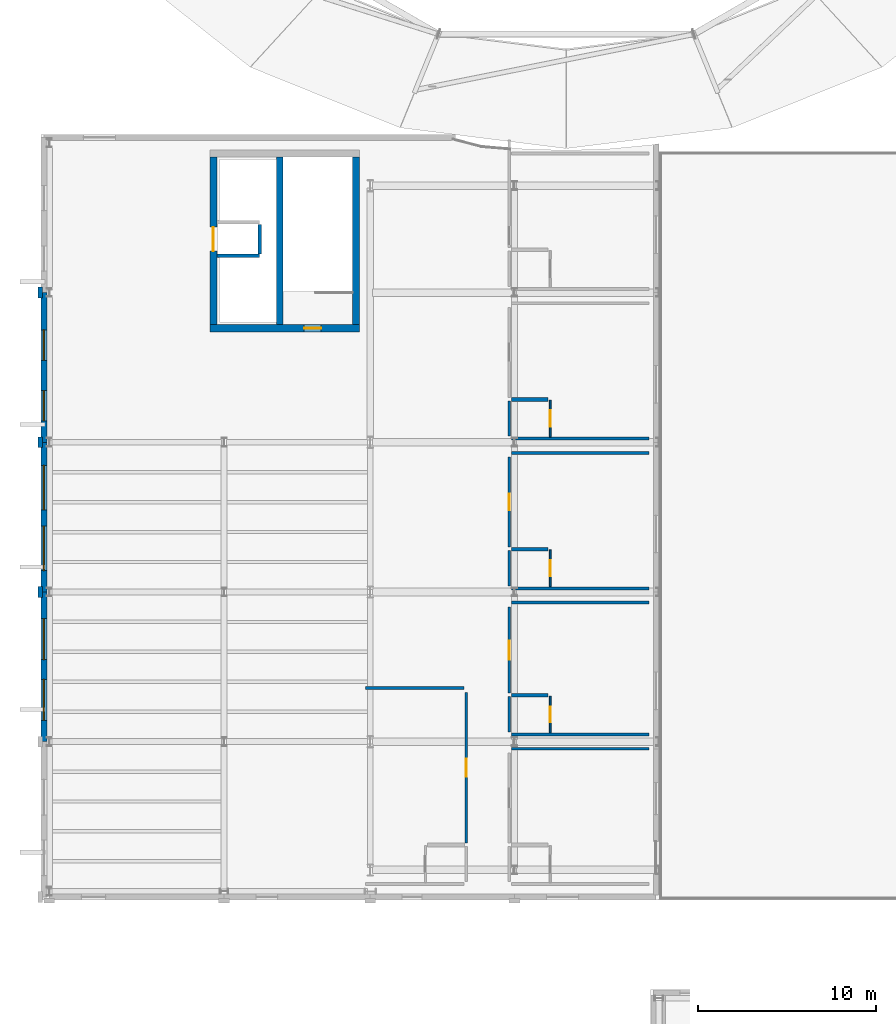
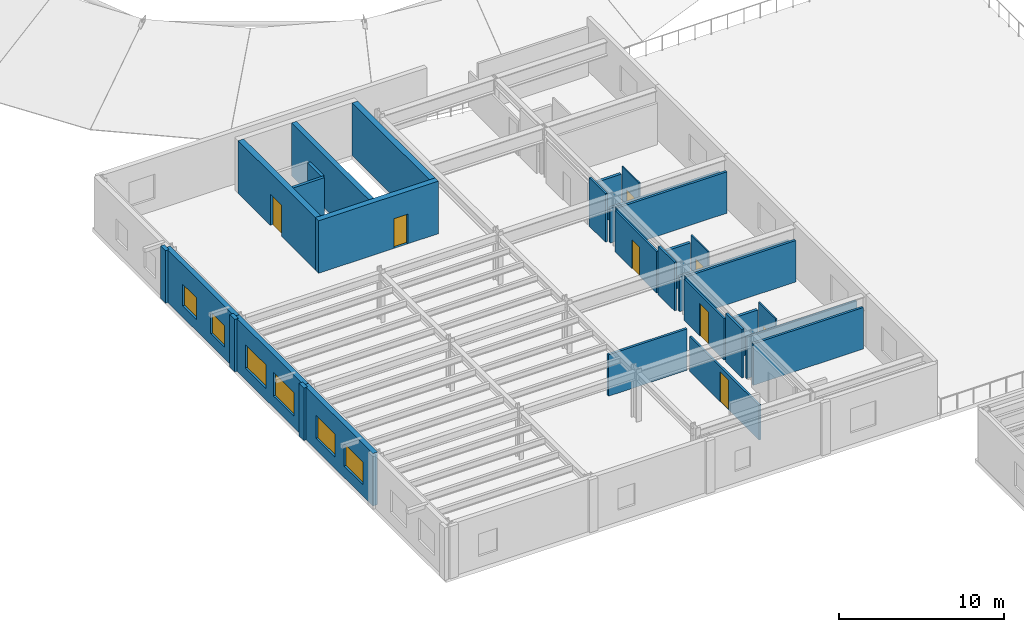
# One storey, part 37 of 59: 31 walls, 8 doors, 6 windows, 14 openings.
"""IFC4 building model written with IfcOpenShell, lengths in metres."""

from ifc_helpers import new_model, si_unit, direction, frame, frame_2d, origin, place, context, subcontext, project, spatial, rectangle, extrude, material, layer, layer_set, type_object, element, fill, save


model = new_model("IFC4")

# Units and contexts
model_context = context("Model", 3, precision=1e-05, world=origin(), true_north=direction((0.0, 1.0)))
body_context = subcontext(model_context, "Body", "Model", "MODEL_VIEW")
ifc_project = project(units=[si_unit("LENGTHUNIT", "METRE"), si_unit("AREAUNIT", "SQUARE_METRE"), si_unit("VOLUMEUNIT", "CUBIC_METRE"), si_unit("PLANEANGLEUNIT", "RADIAN"), si_unit("MASSUNIT", "GRAM", prefix="KILO")], contexts=[model_context])

# Site, building, storey
site_placement = place(None, origin())
site = spatial("IfcSite", under=ifc_project, at=site_placement, CompositionType="ELEMENT")
building_placement = place(site_placement, origin())
building = spatial("IfcBuilding", under=site, at=building_placement, Name="Sollismere Congress Hotel", CompositionType="ELEMENT")
storey_placement = place(building_placement, frame((0.0, 0.0, 15.60009765625)))
storey = spatial("IfcBuildingStorey", under=building, at=storey_placement, Name="L03", CompositionType="ELEMENT", Elevation=15.60009765625)

# Wall, openings, windows
ifc_material_1 = material(Name="Colorado Buff Sandstone and Limestone Backup C40/50", Category="masonry")
ifc_layer_1 = layer(ifc_material_1, 0.340087890625, Name="Colorado Buff Sandstone and Limestone Backup C40/50")
ifc_layer_set_1 = layer_set([ifc_layer_1], Name="Colorado Buff Sandstone and Limestone Backup C40/50")
wall_type_1 = type_object("IfcWallType", Name="WL-EXT340", PredefinedType="STANDARD", material=ifc_layer_set_1)
wall_1_placement = place(storey_placement, frame((-0.31005859375, 33.199951171875, 0.0), z_axis=(0.0, 0.0, 1.0), x_axis=(0.0, 1.0, 0.0)))
wall_1 = element("IfcWall", 1, at=wall_1_placement, inside=storey, type_object=wall_type_1, Name="Exterior wall EW-L03-178", PredefinedType="STANDARD", context=body_context, shape_type="SweptSolid", body=[
    extrude(rectangle(XDim=8.400146484375, YDim=0.340087890625, at=frame_2d((4.2001953125, 0.0))), origin(), (0.0, 0.0, 1.0), 3.89990234375),
])
opening_1_placement = place(wall_1_placement, frame((1.199951171875, 0.0, 0.85009765625)))
opening_1 = element("IfcOpeningElement", 2, at=opening_1_placement, cuts=wall_1, Name="Opening W-L03-148", PredefinedType="OPENING", context=body_context, shape_type="SweptSolid", body=[
    extrude(rectangle(XDim=2.300048828125, YDim=1.699951171875, at=frame_2d((1.14990234375, 0.85009765625))), frame((0.0, 0.179931640625, 0.0), z_axis=(0.0, -1.0, 0.0), x_axis=(1.0, 0.0, 0.0)), (0.0, 0.0, 1.0), 0.360107421875),
])
opening_2_placement = place(wall_1_placement, frame((4.60009765625, 0.0, 0.85009765625)))
opening_2 = element("IfcOpeningElement", 3, at=opening_2_placement, cuts=wall_1, Name="Opening W-L03-149", PredefinedType="OPENING", context=body_context, shape_type="SweptSolid", body=[
    extrude(rectangle(XDim=2.300048828125, YDim=1.699951171875, at=frame_2d((1.14990234375, 0.85009765625))), frame((0.0, 0.179931640625, 0.0), z_axis=(0.0, -1.0, 0.0), x_axis=(1.0, 0.0, 0.0)), (0.0, 0.0, 1.0), 0.360107421875),
])
ifc_material_2 = material(Name="Thermally Broken Bronze Aluminum & Low-E Glass", Category="aluminium")
window_type_1 = type_object("IfcWindowType", Name="WN-P230x170", PartitioningType="SINGLE_PANEL", PredefinedType="WINDOW", material=ifc_material_2)
window_1_placement = place(opening_1_placement, origin())
window_1 = element("IfcWindow", 4, at=window_1_placement, inside=storey, type_object=window_type_1, Name="WIN-W-L03-148", OverallHeight=1.699951171875, OverallWidth=2.300048828125, PartitioningType="SINGLE_PANEL", PredefinedType="WINDOW", context=body_context, shape_type="SweptSolid", body=[
    extrude(rectangle(XDim=2.300048828125, YDim=1.699951171875, at=frame_2d((1.14990234375, 0.85009765625))), frame((0.0, 0.030029296875, 0.0), z_axis=(0.0, -1.0, 0.0), x_axis=(1.0, 0.0, 0.0)), (0.0, 0.0, 1.0), 0.06005859375),
])
fill(opening_1, window_1)
window_2_placement = place(opening_2_placement, origin())
window_2 = element("IfcWindow", 5, at=window_2_placement, inside=storey, type_object=window_type_1, Name="WIN-W-L03-149", OverallHeight=1.699951171875, OverallWidth=2.300048828125, PartitioningType="SINGLE_PANEL", PredefinedType="WINDOW", context=body_context, shape_type="SweptSolid", body=[
    extrude(rectangle(XDim=2.300048828125, YDim=1.699951171875, at=frame_2d((1.14990234375, 0.85009765625))), frame((0.0, 0.030029296875, 0.0), z_axis=(0.0, -1.0, 0.0), x_axis=(1.0, 0.0, 0.0)), (0.0, 0.0, 1.0), 0.06005859375),
])
fill(opening_2, window_2)

wall_2_placement = place(storey_placement, frame((-0.31005859375, 41.60009765625, 0.0), z_axis=(0.0, 0.0, 1.0), x_axis=(0.0, 1.0, 0.0)))
wall_2 = element("IfcWall", 6, at=wall_2_placement, inside=storey, type_object=wall_type_1, Name="Exterior wall EW-L03-180", PredefinedType="STANDARD", context=body_context, shape_type="SweptSolid", body=[
    extrude(rectangle(XDim=8.39990234375, YDim=0.340087890625, at=frame_2d((4.199951171875, 0.0))), origin(), (0.0, 0.0, 1.0), 3.89990234375),
])
opening_3_placement = place(wall_2_placement, frame((1.199951171875, 0.0, 0.85009765625)))
opening_3 = element("IfcOpeningElement", 7, at=opening_3_placement, cuts=wall_2, Name="Opening W-L03-150", PredefinedType="OPENING", context=body_context, shape_type="SweptSolid", body=[
    extrude(rectangle(XDim=2.5, YDim=1.75, at=frame_2d((1.25, 0.875))), frame((0.0, 0.179931640625, 0.0), z_axis=(0.0, -1.0, 0.0), x_axis=(1.0, 0.0, 0.0)), (0.0, 0.0, 1.0), 0.360107421875),
])
opening_4_placement = place(wall_2_placement, frame((4.60009765625, 0.0, 0.85009765625)))
opening_4 = element("IfcOpeningElement", 8, at=opening_4_placement, cuts=wall_2, Name="Opening W-L03-151", PredefinedType="OPENING", context=body_context, shape_type="SweptSolid", body=[
    extrude(rectangle(XDim=2.5, YDim=1.75, at=frame_2d((1.25, 0.875))), frame((0.0, 0.179931640625, 0.0), z_axis=(0.0, -1.0, 0.0), x_axis=(1.0, 0.0, 0.0)), (0.0, 0.0, 1.0), 0.360107421875),
])
window_type_2 = type_object("IfcWindowType", Name="WN-P250x175", PartitioningType="SINGLE_PANEL", PredefinedType="WINDOW", material=ifc_material_2)
window_3_placement = place(opening_3_placement, origin())
window_3 = element("IfcWindow", 9, at=window_3_placement, inside=storey, type_object=window_type_2, Name="WIN-W-L03-150", OverallHeight=1.75, OverallWidth=2.5, PartitioningType="SINGLE_PANEL", PredefinedType="WINDOW", context=body_context, shape_type="SweptSolid", body=[
    extrude(rectangle(XDim=2.5, YDim=1.75, at=frame_2d((1.25, 0.875))), frame((0.0, 0.030029296875, 0.0), z_axis=(0.0, -1.0, 0.0), x_axis=(1.0, 0.0, 0.0)), (0.0, 0.0, 1.0), 0.06005859375),
])
fill(opening_3, window_3)
window_4_placement = place(opening_4_placement, origin())
window_4 = element("IfcWindow", 10, at=window_4_placement, inside=storey, type_object=window_type_2, Name="WIN-W-L03-151", OverallHeight=1.75, OverallWidth=2.5, PartitioningType="SINGLE_PANEL", PredefinedType="WINDOW", context=body_context, shape_type="SweptSolid", body=[
    extrude(rectangle(XDim=2.5, YDim=1.75, at=frame_2d((1.25, 0.875))), frame((0.0, 0.030029296875, 0.0), z_axis=(0.0, -1.0, 0.0), x_axis=(1.0, 0.0, 0.0)), (0.0, 0.0, 1.0), 0.06005859375),
])
fill(opening_4, window_4)

wall_3_placement = place(storey_placement, frame((-0.31005859375, 50.0, 0.0), z_axis=(0.0, 0.0, 1.0), x_axis=(0.0, 1.0, 0.0)))
wall_3 = element("IfcWall", 11, at=wall_3_placement, inside=storey, type_object=wall_type_1, Name="Exterior wall EW-L03-182", PredefinedType="STANDARD", context=body_context, shape_type="SweptSolid", body=[
    extrude(rectangle(XDim=8.39990234375, YDim=0.340087890625, at=frame_2d((4.199951171875, 0.0))), origin(), (0.0, 0.0, 1.0), 3.89990234375),
])
opening_5_placement = place(wall_3_placement, frame((1.199951171875, 0.0, 0.85009765625)))
opening_5 = element("IfcOpeningElement", 12, at=opening_5_placement, cuts=wall_3, Name="Opening W-L03-152", PredefinedType="OPENING", context=body_context, shape_type="SweptSolid", body=[
    extrude(rectangle(XDim=1.699951171875, YDim=1.60009765625, at=frame_2d((0.85009765625, 0.800048828125))), frame((0.0, 0.179931640625, 0.0), z_axis=(0.0, -1.0, 0.0), x_axis=(1.0, 0.0, 0.0)), (0.0, 0.0, 1.0), 0.360107421875),
])
opening_6_placement = place(wall_3_placement, frame((4.60009765625, 0.0, 0.85009765625)))
opening_6 = element("IfcOpeningElement", 13, at=opening_6_placement, cuts=wall_3, Name="Opening W-L03-153", PredefinedType="OPENING", context=body_context, shape_type="SweptSolid", body=[
    extrude(rectangle(XDim=1.699951171875, YDim=1.60009765625, at=frame_2d((0.85009765625, 0.800048828125))), frame((0.0, 0.179931640625, 0.0), z_axis=(0.0, -1.0, 0.0), x_axis=(1.0, 0.0, 0.0)), (0.0, 0.0, 1.0), 0.360107421875),
])
window_type_3 = type_object("IfcWindowType", Name="WN-P170x160", PartitioningType="SINGLE_PANEL", PredefinedType="WINDOW", material=ifc_material_2)
window_5_placement = place(opening_5_placement, origin())
window_5 = element("IfcWindow", 14, at=window_5_placement, inside=storey, type_object=window_type_3, Name="WIN-W-L03-152", OverallHeight=1.60009765625, OverallWidth=1.699951171875, PartitioningType="SINGLE_PANEL", PredefinedType="WINDOW", context=body_context, shape_type="SweptSolid", body=[
    extrude(rectangle(XDim=1.699951171875, YDim=1.60009765625, at=frame_2d((0.85009765625, 0.800048828125))), frame((0.0, 0.030029296875, 0.0), z_axis=(0.0, -1.0, 0.0), x_axis=(1.0, 0.0, 0.0)), (0.0, 0.0, 1.0), 0.06005859375),
])
fill(opening_5, window_5)
window_6_placement = place(opening_6_placement, origin())
window_6 = element("IfcWindow", 15, at=window_6_placement, inside=storey, type_object=window_type_3, Name="WIN-W-L03-153", OverallHeight=1.60009765625, OverallWidth=1.699951171875, PartitioningType="SINGLE_PANEL", PredefinedType="WINDOW", context=body_context, shape_type="SweptSolid", body=[
    extrude(rectangle(XDim=1.699951171875, YDim=1.60009765625, at=frame_2d((0.85009765625, 0.800048828125))), frame((0.0, 0.030029296875, 0.0), z_axis=(0.0, -1.0, 0.0), x_axis=(1.0, 0.0, 0.0)), (0.0, 0.0, 1.0), 0.06005859375),
])
fill(opening_6, window_6)

# Walls
ifc_material_3 = material(Name="Carved Travertine Pilaster & Frieze Assembly", Category="masonry")
ifc_layer_2 = layer(ifc_material_3, 0.260009765625, Name="Carved Travertine Pilaster & Frieze Assembly")
ifc_layer_set_2 = layer_set([ifc_layer_2], Name="Carved Travertine Pilaster & Frieze Assembly")
wall_type_2 = type_object("IfcWallType", Name="WL-PIL280", PredefinedType="ELEMENTEDWALL", material=ifc_layer_set_2)
wall_4_placement = place(storey_placement, frame((-0.52001953125, 41.300048828125, 0.0), z_axis=(0.0, 0.0, 1.0), x_axis=(0.0, 1.0, 0.0)))
element("IfcWall", 16, at=wall_4_placement, inside=storey, type_object=wall_type_2, Name="Exterior wall EW-L03-181", PredefinedType="ELEMENTEDWALL", context=body_context, shape_type="SweptSolid", body=[
    extrude(rectangle(XDim=0.599853515625, YDim=0.260009765625, at=frame_2d((0.2998046875, 0.0))), origin(), (0.0, 0.0, 1.0), 3.89990234375),
])
wall_5_placement = place(storey_placement, frame((-0.52001953125, 49.699951171875, 0.0), z_axis=(0.0, 0.0, 1.0), x_axis=(0.0, 1.0, 0.0)))
element("IfcWall", 17, at=wall_5_placement, inside=storey, type_object=wall_type_2, Name="Exterior wall EW-L03-183", PredefinedType="ELEMENTEDWALL", context=body_context, shape_type="SweptSolid", body=[
    extrude(rectangle(XDim=0.60009765625, YDim=0.260009765625, at=frame_2d((0.300048828125, 0.0))), origin(), (0.0, 0.0, 1.0), 3.89990234375),
])
wall_6_placement = place(storey_placement, frame((-0.52001953125, 58.10009765625, 0.0), z_axis=(0.0, 0.0, 1.0), x_axis=(0.0, 1.0, 0.0)))
element("IfcWall", 18, at=wall_6_placement, inside=storey, type_object=wall_type_2, Name="Exterior wall EW-L03-185", PredefinedType="ELEMENTEDWALL", context=body_context, shape_type="SweptSolid", body=[
    extrude(rectangle(XDim=0.599853515625, YDim=0.260009765625, at=frame_2d((0.2998046875, 0.0))), origin(), (0.0, 0.0, 1.0), 3.89990234375),
])
ifc_material_4 = material(Name="Moisture-Resistant Shaft Gypsum Assembly")
ifc_layer_3 = layer(ifc_material_4, 0.199951171875, Name="Moisture-Resistant Shaft Gypsum Assembly")
ifc_layer_set_3 = layer_set([ifc_layer_3], Name="Moisture-Resistant Shaft Gypsum Assembly")
wall_type_3 = type_object("IfcWallType", Name="WL-PLM200", PredefinedType="PLUMBINGWALL", material=ifc_layer_set_3)
wall_7_placement = place(storey_placement, frame((9.412109375, 60.455078125, 0.0), z_axis=(0.0, 0.0, 1.0), x_axis=(1.0, 0.0, 0.0)))
element("IfcWall", 19, at=wall_7_placement, inside=storey, type_object=wall_type_3, Name="Interior wall IW-L03-0668", PredefinedType="PLUMBINGWALL", context=body_context, shape_type="SweptSolid", body=[
    extrude(rectangle(XDim=2.387939453125, YDim=0.199951171875, at=frame_2d((1.19384765625, 0.0))), origin(), (0.0, 0.0, 1.0), 3.599853515625),
])
wall_8_placement = place(storey_placement, frame((11.800048828125, 60.56689453125, 0.0), z_axis=(0.0, 0.0, 1.0), x_axis=(0.0, 1.0, 0.0)))
element("IfcWall", 20, at=wall_8_placement, inside=storey, type_object=wall_type_3, Name="Interior wall IW-L03-0670", PredefinedType="PLUMBINGWALL", context=body_context, shape_type="SweptSolid", body=[
    extrude(rectangle(XDim=1.666015625, YDim=0.199951171875, at=frame_2d((0.8330078125, 0.0))), origin(), (0.0, 0.0, 1.0), 3.599853515625),
])
for number, where, z_axis, x_axis, name in (
    (21, (25.919921875, 35.800048828125, 0.0), (0.0, 0.0, 1.0), (1.0, 0.0, 0.0), "Interior wall IW-L03-1445"),
    (22, (25.919921875, 44.0, 0.0), (0.0, 0.0, 1.0), (1.0, 0.0, 0.0), "Interior wall IW-L03-1451"),
    (23, (25.919921875, 52.39990234375, 0.0), (0.0, 0.0, 1.0), (1.0, 0.0, 0.0), "Interior wall IW-L03-1457"),
):
    element("IfcWall", number, at=place(storey_placement, frame(where, z_axis=z_axis, x_axis=x_axis)), inside=storey, type_object=wall_type_3, Name=name, PredefinedType="PLUMBINGWALL", context=body_context, shape_type="SweptSolid", body=[
        extrude(rectangle(XDim=2.06005859375, YDim=0.199951171875, at=frame_2d((1.030029296875, 0.0))), origin(), (0.0, 0.0, 1.0), 3.073974609375),
    ])

# Wall, opening, door
ifc_material_5 = material(Name="Moisture-Resistant Gypsum Partition")
ifc_layer_4 = layer(ifc_material_5, 0.10009765625, Name="Moisture-Resistant Gypsum Partition")
ifc_layer_set_4 = layer_set([ifc_layer_4], Name="Moisture-Resistant Gypsum Partition")
wall_type_4 = type_object("IfcWallType", Name="WL-PRT100", PredefinedType="PARTITIONING", material=ifc_layer_set_4)
wall_9_placement = place(storey_placement, frame((28.10009765625, 33.694580078125, 0.0), z_axis=(0.0, 0.0, 1.0), x_axis=(0.0, 1.0, 0.0)))
wall_9 = element("IfcWall", 24, at=wall_9_placement, inside=storey, type_object=wall_type_4, Name="Interior wall IW-L03-1446", PredefinedType="PARTITIONING", context=body_context, shape_type="SweptSolid", body=[
    extrude(rectangle(XDim=2.0654296875, YDim=0.10009765625, at=frame_2d((1.03271484375, 0.0))), origin(), (0.0, 0.0, 1.0), 3.599853515625),
])
opening_7_placement = place(wall_9_placement, frame((0.593017578125, 0.0, 0.0)))
opening_7 = element("IfcOpeningElement", 25, at=opening_7_placement, cuts=wall_9, Name="Opening D-L03-0510", PredefinedType="OPENING", context=body_context, shape_type="SweptSolid", body=[
    extrude(rectangle(XDim=0.8798828125, YDim=2.179931640625, at=frame_2d((0.43994140625, 1.08984375))), frame((0.0, 0.06005859375, 0.0), z_axis=(0.0, -1.0, 0.0), x_axis=(1.0, 0.0, 0.0)), (0.0, 0.0, 1.0), 0.1201171875),
])
ifc_material_6 = material(Name="Moisture-Sealed Timber Bathroom Door", Category="wood")
door_type_1 = type_object("IfcDoorType", Name="DR-BT05", OperationType="NOTDEFINED", PredefinedType="DOOR", material=ifc_material_6)
door_1_placement = place(opening_7_placement, origin())
door_1 = element("IfcDoor", 26, at=door_1_placement, inside=storey, type_object=door_type_1, Name="En-suite bathroom door D-L03-0510", OperationType="SINGLE_SWING_LEFT", OverallHeight=2.179931640625, OverallWidth=0.8798828125, PredefinedType="DOOR", context=body_context, shape_type="SweptSolid", body=[
    extrude(rectangle(XDim=0.8798828125, YDim=2.179931640625, at=frame_2d((0.43994140625, 1.08984375))), frame((0.0, 0.02490234375, 0.0), z_axis=(0.0, -1.0, 0.0), x_axis=(1.0, 0.0, 0.0)), (0.0, 0.0, 1.0), 0.050048828125),
])
fill(opening_7, door_1)

wall_10_placement = place(storey_placement, frame((28.10009765625, 41.89453125, 0.0), z_axis=(0.0, 0.0, 1.0), x_axis=(0.0, 1.0, 0.0)))
wall_10 = element("IfcWall", 27, at=wall_10_placement, inside=storey, type_object=wall_type_4, Name="Interior wall IW-L03-1452", PredefinedType="PARTITIONING", context=body_context, shape_type="SweptSolid", body=[
    extrude(rectangle(XDim=2.0654296875, YDim=0.10009765625, at=frame_2d((1.03271484375, 0.0))), origin(), (0.0, 0.0, 1.0), 3.599853515625),
])
opening_8_placement = place(wall_10_placement, frame((0.580078125, 0.0, 0.0)))
opening_8 = element("IfcOpeningElement", 28, at=opening_8_placement, cuts=wall_10, Name="Opening D-L03-0512", PredefinedType="OPENING", context=body_context, shape_type="SweptSolid", body=[
    extrude(rectangle(XDim=0.905029296875, YDim=2.179931640625, at=frame_2d((0.45263671875, 1.08984375))), frame((0.0, 0.06005859375, 0.0), z_axis=(0.0, -1.0, 0.0), x_axis=(1.0, 0.0, 0.0)), (0.0, 0.0, 1.0), 0.1201171875),
])
door_type_2 = type_object("IfcDoorType", Name="DR-BT06", OperationType="NOTDEFINED", PredefinedType="DOOR", material=ifc_material_6)
door_2_placement = place(opening_8_placement, origin())
door_2 = element("IfcDoor", 29, at=door_2_placement, inside=storey, type_object=door_type_2, Name="En-suite bathroom door D-L03-0512", OperationType="SINGLE_SWING_LEFT", OverallHeight=2.179931640625, OverallWidth=0.905029296875, PredefinedType="DOOR", context=body_context, shape_type="SweptSolid", body=[
    extrude(rectangle(XDim=0.905029296875, YDim=2.179931640625, at=frame_2d((0.45263671875, 1.08984375))), frame((0.0, 0.02490234375, 0.0), z_axis=(0.0, -1.0, 0.0), x_axis=(1.0, 0.0, 0.0)), (0.0, 0.0, 1.0), 0.050048828125),
])
fill(opening_8, door_2)

wall_11_placement = place(storey_placement, frame((28.10009765625, 50.29443359375, 0.0), z_axis=(0.0, 0.0, 1.0), x_axis=(0.0, 1.0, 0.0)))
wall_11 = element("IfcWall", 30, at=wall_11_placement, inside=storey, type_object=wall_type_4, Name="Interior wall IW-L03-1458", PredefinedType="PARTITIONING", context=body_context, shape_type="SweptSolid", body=[
    extrude(rectangle(XDim=2.065673828125, YDim=0.10009765625, at=frame_2d((1.03271484375, 0.0))), origin(), (0.0, 0.0, 1.0), 3.599853515625),
])
opening_9_placement = place(wall_11_placement, frame((0.568115234375, 0.0, 0.0)))
opening_9 = element("IfcOpeningElement", 31, at=opening_9_placement, cuts=wall_11, Name="Opening D-L03-0514", PredefinedType="OPENING", context=body_context, shape_type="SweptSolid", body=[
    extrude(rectangle(XDim=0.929931640625, YDim=2.219970703125, at=frame_2d((0.46484375, 1.10986328125))), frame((0.0, 0.06005859375, 0.0), z_axis=(0.0, -1.0, 0.0), x_axis=(1.0, 0.0, 0.0)), (0.0, 0.0, 1.0), 0.1201171875),
])
door_type_3 = type_object("IfcDoorType", Name="DR-BT07", OperationType="NOTDEFINED", PredefinedType="DOOR", material=ifc_material_6)
door_3_placement = place(opening_9_placement, origin())
door_3 = element("IfcDoor", 32, at=door_3_placement, inside=storey, type_object=door_type_3, Name="En-suite bathroom door D-L03-0514", OperationType="SINGLE_SWING_LEFT", OverallHeight=2.219970703125, OverallWidth=0.929931640625, PredefinedType="DOOR", context=body_context, shape_type="SweptSolid", body=[
    extrude(rectangle(XDim=0.929931640625, YDim=2.219970703125, at=frame_2d((0.46484375, 1.10986328125))), frame((0.0, 0.02490234375, 0.0), z_axis=(0.0, -1.0, 0.0), x_axis=(1.0, 0.0, 0.0)), (0.0, 0.0, 1.0), 0.050048828125),
])
fill(opening_9, door_3)

# Wall
ifc_material_7 = material(Name="Fire-Rated Gypsum Partition")
ifc_layer_5 = layer(ifc_material_7, 0.139892578125, Name="Fire-Rated Gypsum Partition")
ifc_layer_set_5 = layer_set([ifc_layer_5], Name="Fire-Rated Gypsum Partition")
wall_type_5 = type_object("IfcWallType", Name="WL-PRT140R", PredefinedType="PARTITIONING", material=ifc_layer_set_5)
wall_12_placement = place(storey_placement, frame((25.800048828125, 33.739990234375, 0.0), z_axis=(0.0, 0.0, 1.0), x_axis=(0.0, 1.0, 0.0)))
element("IfcWall", 33, at=wall_12_placement, inside=storey, type_object=wall_type_5, Name="Interior wall IW-L03-1441", PredefinedType="PARTITIONING", context=body_context, shape_type="SweptSolid", body=[
    extrude(rectangle(XDim=1.97998046875, YDim=0.139892578125, at=frame_2d((0.989990234375, 0.0))), origin(), (0.0, 0.0, 1.0), 3.599853515625),
])

# Wall, opening, door
wall_13_placement = place(storey_placement, frame((25.800048828125, 35.919921875, 0.0), z_axis=(0.0, 0.0, 1.0), x_axis=(0.0, 1.0, 0.0)))
wall_13 = element("IfcWall", 34, at=wall_13_placement, inside=storey, type_object=wall_type_5, Name="Interior wall IW-L03-1442", PredefinedType="PARTITIONING", context=body_context, shape_type="SweptSolid", body=[
    extrude(rectangle(XDim=4.840087890625, YDim=0.139892578125, at=frame_2d((2.419921875, 0.0))), origin(), (0.0, 0.0, 1.0), 3.073974609375),
])
opening_10_placement = place(wall_13_placement, frame((1.885009765625, 0.0, 0.0)))
opening_10 = element("IfcOpeningElement", 35, at=opening_10_placement, cuts=wall_13, Name="Opening D-L03-0509", PredefinedType="OPENING", context=body_context, shape_type="SweptSolid", body=[
    extrude(rectangle(XDim=1.070068359375, YDim=2.39990234375, at=frame_2d((0.53515625, 1.199951171875))), frame((0.0, 0.079833984375, 0.0), z_axis=(0.0, -1.0, 0.0), x_axis=(1.0, 0.0, 0.0)), (0.0, 0.0, 1.0), 0.159912109375),
])
ifc_material_8 = material(Name="Solid-Core Acoustic Walnut Guestroom Entry Door")
door_type_4 = type_object("IfcDoorType", Name="DR-KY12", OperationType="NOTDEFINED", PredefinedType="DOOR", material=ifc_material_8)
door_4_placement = place(opening_10_placement, origin())
door_4 = element("IfcDoor", 36, at=door_4_placement, inside=storey, type_object=door_type_4, Name="Hotel room entry door D-L03-0509", OperationType="SINGLE_SWING_RIGHT", OverallHeight=2.39990234375, OverallWidth=1.070068359375, PredefinedType="DOOR", context=body_context, shape_type="SweptSolid", body=[
    extrude(rectangle(XDim=1.070068359375, YDim=2.39990234375, at=frame_2d((0.53515625, 1.199951171875))), frame((0.0, 0.02490234375, 0.0), z_axis=(0.0, -1.0, 0.0), x_axis=(1.0, 0.0, 0.0)), (0.0, 0.0, 1.0), 0.050048828125),
])
fill(opening_10, door_4)

# Wall
wall_14_placement = place(storey_placement, frame((25.800048828125, 41.93994140625, 0.0), z_axis=(0.0, 0.0, 1.0), x_axis=(0.0, 1.0, 0.0)))
element("IfcWall", 37, at=wall_14_placement, inside=storey, type_object=wall_type_5, Name="Interior wall IW-L03-1447", PredefinedType="PARTITIONING", context=body_context, shape_type="SweptSolid", body=[
    extrude(rectangle(XDim=1.97998046875, YDim=0.139892578125, at=frame_2d((0.989990234375, 0.0))), origin(), (0.0, 0.0, 1.0), 3.599853515625),
])

# Wall, opening, door
wall_15_placement = place(storey_placement, frame((25.800048828125, 44.1201171875, 0.0), z_axis=(0.0, 0.0, 1.0), x_axis=(0.0, 1.0, 0.0)))
wall_15 = element("IfcWall", 38, at=wall_15_placement, inside=storey, type_object=wall_type_5, Name="Interior wall IW-L03-1448", PredefinedType="PARTITIONING", context=body_context, shape_type="SweptSolid", body=[
    extrude(rectangle(XDim=5.039794921875, YDim=0.139892578125, at=frame_2d((2.52001953125, 0.0))), origin(), (0.0, 0.0, 1.0), 3.073974609375),
])
opening_11_placement = place(wall_15_placement, frame((2.06005859375, 0.0, 0.0)))
opening_11 = element("IfcOpeningElement", 39, at=opening_11_placement, cuts=wall_15, Name="Opening D-L03-0511", PredefinedType="OPENING", context=body_context, shape_type="SweptSolid", body=[
    extrude(rectangle(XDim=0.919921875, YDim=2.14990234375, at=frame_2d((0.4599609375, 1.074951171875))), frame((0.0, 0.079833984375, 0.0), z_axis=(0.0, -1.0, 0.0), x_axis=(1.0, 0.0, 0.0)), (0.0, 0.0, 1.0), 0.159912109375),
])
door_type_5 = type_object("IfcDoorType", Name="DR-KY01", OperationType="NOTDEFINED", PredefinedType="DOOR", material=ifc_material_8)
door_5_placement = place(opening_11_placement, origin())
door_5 = element("IfcDoor", 40, at=door_5_placement, inside=storey, type_object=door_type_5, Name="Hotel room entry door D-L03-0511", OperationType="SINGLE_SWING_RIGHT", OverallHeight=2.14990234375, OverallWidth=0.919921875, PredefinedType="DOOR", context=body_context, shape_type="SweptSolid", body=[
    extrude(rectangle(XDim=0.919921875, YDim=2.14990234375, at=frame_2d((0.4599609375, 1.074951171875))), frame((0.0, 0.02490234375, 0.0), z_axis=(0.0, -1.0, 0.0), x_axis=(1.0, 0.0, 0.0)), (0.0, 0.0, 1.0), 0.050048828125),
])
fill(opening_11, door_5)

# Wall
wall_16_placement = place(storey_placement, frame((25.800048828125, 50.340087890625, 0.0), z_axis=(0.0, 0.0, 1.0), x_axis=(0.0, 1.0, 0.0)))
element("IfcWall", 41, at=wall_16_placement, inside=storey, type_object=wall_type_5, Name="Interior wall IW-L03-1453", PredefinedType="PARTITIONING", context=body_context, shape_type="SweptSolid", body=[
    extrude(rectangle(XDim=1.97998046875, YDim=0.139892578125, at=frame_2d((0.989990234375, 0.0))), origin(), (0.0, 0.0, 1.0), 3.599853515625),
])

# Wall, opening, door
wall_17_placement = place(storey_placement, frame((23.39990234375, 27.52001953125, 0.0), z_axis=(0.0, 0.0, 1.0), x_axis=(0.0, 1.0, 0.0)))
wall_17 = element("IfcWall", 42, at=wall_17_placement, inside=storey, type_object=wall_type_5, Name="Interior wall IW-L03-1466", PredefinedType="PARTITIONING", context=body_context, shape_type="SweptSolid", body=[
    extrude(rectangle(XDim=8.43994140625, YDim=0.139892578125, at=frame_2d((4.219970703125, 0.0))), origin(), (0.0, 0.0, 1.0), 2.583984375),
])
opening_12_placement = place(wall_17_placement, frame((3.715087890625, 0.0, 0.0)))
opening_12 = element("IfcOpeningElement", 43, at=opening_12_placement, cuts=wall_17, Name="Opening D-L03-0517", PredefinedType="OPENING", context=body_context, shape_type="SweptSolid", body=[
    extrude(rectangle(XDim=1.010009765625, YDim=2.199951171875, at=frame_2d((0.5048828125, 1.10009765625))), frame((0.0, 0.079833984375, 0.0), z_axis=(0.0, -1.0, 0.0), x_axis=(1.0, 0.0, 0.0)), (0.0, 0.0, 1.0), 0.159912109375),
])
door_type_6 = type_object("IfcDoorType", Name="DR-KY04", OperationType="NOTDEFINED", PredefinedType="DOOR", material=ifc_material_8)
door_6_placement = place(opening_12_placement, origin())
door_6 = element("IfcDoor", 44, at=door_6_placement, inside=storey, type_object=door_type_6, Name="Hotel room entry door D-L03-0517", OperationType="SINGLE_SWING_RIGHT", OverallHeight=2.199951171875, OverallWidth=1.010009765625, PredefinedType="DOOR", context=body_context, shape_type="SweptSolid", body=[
    extrude(rectangle(XDim=1.010009765625, YDim=2.199951171875, at=frame_2d((0.5048828125, 1.10009765625))), frame((0.0, 0.02490234375, 0.0), z_axis=(0.0, -1.0, 0.0), x_axis=(1.0, 0.0, 0.0)), (0.0, 0.0, 1.0), 0.050048828125),
])
fill(opening_12, door_6)

# Walls
ifc_material_9 = material(Name="Fire-Rated Acoustic Gypsum Partition")
ifc_layer_6 = layer(ifc_material_9, 0.1650390625, Name="Fire-Rated Acoustic Gypsum Partition")
ifc_layer_set_6 = layer_set([ifc_layer_6], Name="Fire-Rated Acoustic Gypsum Partition")
wall_type_6 = type_object("IfcWallType", Name="WL-PRT165R", PredefinedType="PARTITIONING", material=ifc_layer_set_6)
for number, where, z_axis, x_axis, name in (
    (45, (25.93994140625, 32.800048828125, 0.0), (0.0, 0.0, 1.0), (1.0, 0.0, 0.0), "Interior wall IW-L03-1438"),
    (46, (25.93994140625, 33.60009765625, 0.0), (0.0, 0.0, 1.0), (1.0, 0.0, 0.0), "Interior wall IW-L03-1443"),
    (47, (25.93994140625, 41.0, 0.0), (0.0, 0.0, 1.0), (1.0, 0.0, 0.0), "Interior wall IW-L03-1444"),
):
    element("IfcWall", number, at=place(storey_placement, frame(where, z_axis=z_axis, x_axis=x_axis)), inside=storey, type_object=wall_type_6, Name=name, PredefinedType="PARTITIONING", context=body_context, shape_type="SweptSolid", body=[
        extrude(rectangle(XDim=7.719970703125, YDim=0.1650390625, at=frame_2d((3.85986328125, 0.0))), origin(), (0.0, 0.0, 1.0), 3.073974609375),
    ])
wall_18_placement = place(storey_placement, frame((25.93994140625, 41.800048828125, 0.0), z_axis=(0.0, 0.0, 1.0), x_axis=(1.0, 0.0, 0.0)))
element("IfcWall", 48, at=wall_18_placement, inside=storey, type_object=wall_type_6, Name="Interior wall IW-L03-1449", PredefinedType="PARTITIONING", context=body_context, shape_type="SweptSolid", body=[
    extrude(rectangle(XDim=7.719970703125, YDim=0.1650390625, at=frame_2d((3.85986328125, 0.0))), origin(), (0.0, 0.0, 1.0), 2.583984375),
])
wall_19_placement = place(storey_placement, frame((25.93994140625, 49.39990234375, 0.0), z_axis=(0.0, 0.0, 1.0), x_axis=(1.0, 0.0, 0.0)))
element("IfcWall", 49, at=wall_19_placement, inside=storey, type_object=wall_type_6, Name="Interior wall IW-L03-1450", PredefinedType="PARTITIONING", context=body_context, shape_type="SweptSolid", body=[
    extrude(rectangle(XDim=7.719970703125, YDim=0.1650390625, at=frame_2d((3.85986328125, 0.0))), origin(), (0.0, 0.0, 1.0), 3.073974609375),
])
wall_20_placement = place(storey_placement, frame((25.93994140625, 50.199951171875, 0.0), z_axis=(0.0, 0.0, 1.0), x_axis=(1.0, 0.0, 0.0)))
element("IfcWall", 50, at=wall_20_placement, inside=storey, type_object=wall_type_6, Name="Interior wall IW-L03-1455", PredefinedType="PARTITIONING", context=body_context, shape_type="SweptSolid", body=[
    extrude(rectangle(XDim=7.719970703125, YDim=0.1650390625, at=frame_2d((3.85986328125, 0.0))), origin(), (0.0, 0.0, 1.0), 2.583984375),
])
wall_21_placement = place(storey_placement, frame((17.739990234375, 36.199951171875, 0.0), z_axis=(0.0, 0.0, 1.0), x_axis=(1.0, 0.0, 0.0)))
element("IfcWall", 51, at=wall_21_placement, inside=storey, type_object=wall_type_6, Name="Interior wall IW-L03-1468", PredefinedType="PARTITIONING", context=body_context, shape_type="SweptSolid", body=[
    extrude(rectangle(XDim=5.52001953125, YDim=0.1650390625, at=frame_2d((2.760009765625, 0.0))), origin(), (0.0, 0.0, 1.0), 3.073974609375),
])
ifc_material_10 = material(Name="Concrete C50/60", Category="concrete")
ifc_layer_7 = layer(ifc_material_10, 0.35009765625, Name="Concrete C50/60")
ifc_layer_set_7 = layer_set([ifc_layer_7], Name="Concrete C50/60")
wall_type_7 = type_object("IfcWallType", Name="WL-SHR350", PredefinedType="SHEAR", material=ifc_layer_set_7)
wall_22_placement = place(storey_placement, frame((12.925048828125, 56.60009765625, 0.0), z_axis=(0.0, 0.0, 1.0), x_axis=(0.0, 1.0, 0.0)))
element("IfcWall", 52, at=wall_22_placement, inside=storey, type_object=wall_type_7, Name="Interior wall IW-L03-0667", PredefinedType="SHEAR", context=body_context, shape_type="SweptSolid", body=[
    extrude(rectangle(XDim=9.39990234375, YDim=0.35009765625, at=frame_2d((4.699951171875, 0.0))), origin(), (0.0, 0.0, 1.0), 3.89990234375),
])

# Wall, opening, door
ifc_layer_8 = layer(ifc_material_10, 0.39990234375, Name="Concrete C50/60")
ifc_layer_set_8 = layer_set([ifc_layer_8], Name="Concrete C50/60")
wall_type_8 = type_object("IfcWallType", Name="WL-SHR400", PredefinedType="SHEAR", material=ifc_layer_set_8)
wall_23_placement = place(storey_placement, frame((9.0, 56.39990234375, 0.0), z_axis=(0.0, 0.0, 1.0), x_axis=(1.0, 0.0, 0.0)))
wall_23 = element("IfcWall", 53, at=wall_23_placement, inside=storey, type_object=wall_type_8, Name="Interior wall IW-L03-0663", PredefinedType="SHEAR", context=body_context, shape_type="SweptSolid", body=[
    extrude(rectangle(XDim=8.39990234375, YDim=0.39990234375, at=frame_2d((4.199951171875, 0.0))), origin(), (0.0, 0.0, 1.0), 3.89990234375),
])
opening_13_placement = place(wall_23_placement, frame((5.300048828125, 0.0, 0.0)))
opening_13 = element("IfcOpeningElement", 54, at=opening_13_placement, cuts=wall_23, Name="Opening D-ST-05-L03", PredefinedType="OPENING", context=body_context, shape_type="SweptSolid", body=[
    extrude(rectangle(XDim=0.949951171875, YDim=2.199951171875, at=frame_2d((0.47509765625, 1.10009765625))), frame((0.0, 0.2099609375, 0.0), z_axis=(0.0, -1.0, 0.0), x_axis=(1.0, 0.0, 0.0)), (0.0, 0.0, 1.0), 0.419921875),
])
ifc_material_11 = material(Name="Fire-Rated Insulated Steel Door", Category="steel")
door_type_7 = type_object("IfcDoorType", Name="DR-FD90", OperationType="NOTDEFINED", PredefinedType="DOOR", material=ifc_material_11)
door_7_placement = place(opening_13_placement, origin())
door_7 = element("IfcDoor", 55, at=door_7_placement, inside=storey, type_object=door_type_7, Name="Exit stair fire door D-ST-05-L03", OperationType="SINGLE_SWING_LEFT", OverallHeight=2.199951171875, OverallWidth=0.949951171875, PredefinedType="DOOR", context=body_context, shape_type="SweptSolid", body=[
    extrude(rectangle(XDim=0.949951171875, YDim=2.199951171875, at=frame_2d((0.47509765625, 1.10009765625))), frame((0.0, 0.02490234375, 0.0), z_axis=(0.0, -1.0, 0.0), x_axis=(1.0, 0.0, 0.0)), (0.0, 0.0, 1.0), 0.050048828125),
])
fill(opening_13, door_7)

wall_24_placement = place(storey_placement, frame((9.199951171875, 66.0, 0.0), z_axis=(0.0, 0.0, 1.0), x_axis=(0.0, -1.0, 0.0)))
wall_24 = element("IfcWall", 56, at=wall_24_placement, inside=storey, type_object=wall_type_8, Name="Interior wall IW-L03-0665", PredefinedType="SHEAR", context=body_context, shape_type="SweptSolid", body=[
    extrude(rectangle(XDim=9.39990234375, YDim=0.39990234375, at=frame_2d((4.699951171875, 0.0))), origin(), (0.0, 0.0, 1.0), 3.89990234375),
])
opening_14_placement = place(wall_24_placement, frame((3.925048828125, 0.0, 0.0)))
opening_14 = element("IfcOpeningElement", 57, at=opening_14_placement, cuts=wall_24, Name="Opening LD-LS-03-L03", PredefinedType="OPENING", context=body_context, shape_type="SweptSolid", body=[
    extrude(rectangle(XDim=1.35009765625, YDim=2.300048828125, at=frame_2d((0.675048828125, 1.14990234375))), frame((0.0, 0.2099609375, 0.0), z_axis=(0.0, -1.0, 0.0), x_axis=(1.0, 0.0, 0.0)), (0.0, 0.0, 1.0), 0.419921875),
])
ifc_material_12 = material(Name="Heavy-Duty Stainless Sliding Service Landing Door")
door_type_8 = type_object("IfcDoorType", Name="DR-LD135", OperationType="NOTDEFINED", PredefinedType="DOOR", material=ifc_material_12)
door_8_placement = place(opening_14_placement, origin())
door_8 = element("IfcDoor", 58, at=door_8_placement, inside=storey, type_object=door_type_8, Name="Elevator landing door LD-LS-03-L03", OperationType="SLIDING_TO_LEFT", OverallHeight=2.300048828125, OverallWidth=1.35009765625, PredefinedType="DOOR", context=body_context, shape_type="SweptSolid", body=[
    extrude(rectangle(XDim=1.35009765625, YDim=2.300048828125, at=frame_2d((0.675048828125, 1.14990234375))), frame((0.0, 0.02490234375, 0.0), z_axis=(0.0, -1.0, 0.0), x_axis=(1.0, 0.0, 0.0)), (0.0, 0.0, 1.0), 0.050048828125),
])
fill(opening_14, door_8)

# Wall
wall_25_placement = place(storey_placement, frame((17.199951171875, 56.60009765625, 0.0), z_axis=(0.0, 0.0, 1.0), x_axis=(0.0, 1.0, 0.0)))
element("IfcWall", 59, at=wall_25_placement, inside=storey, type_object=wall_type_8, Name="Interior wall IW-L03-0666", PredefinedType="SHEAR", context=body_context, shape_type="SweptSolid", body=[
    extrude(rectangle(XDim=9.39990234375, YDim=0.39990234375, at=frame_2d((4.699951171875, 0.0))), origin(), (0.0, 0.0, 1.0), 3.89990234375),
])

save(model, "model.ifc")
